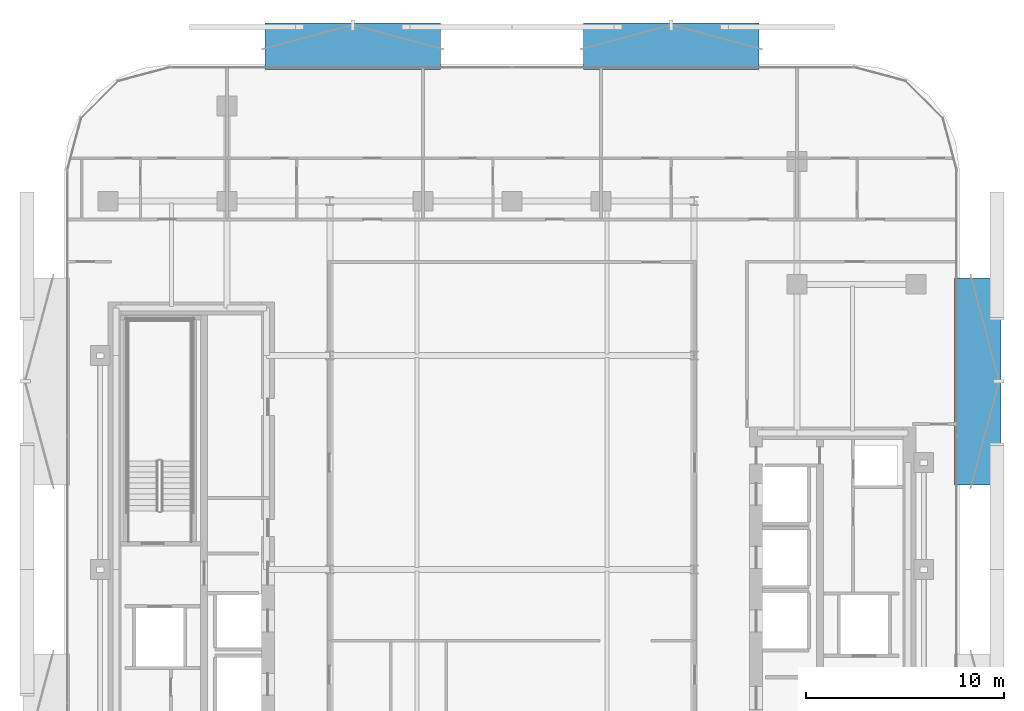
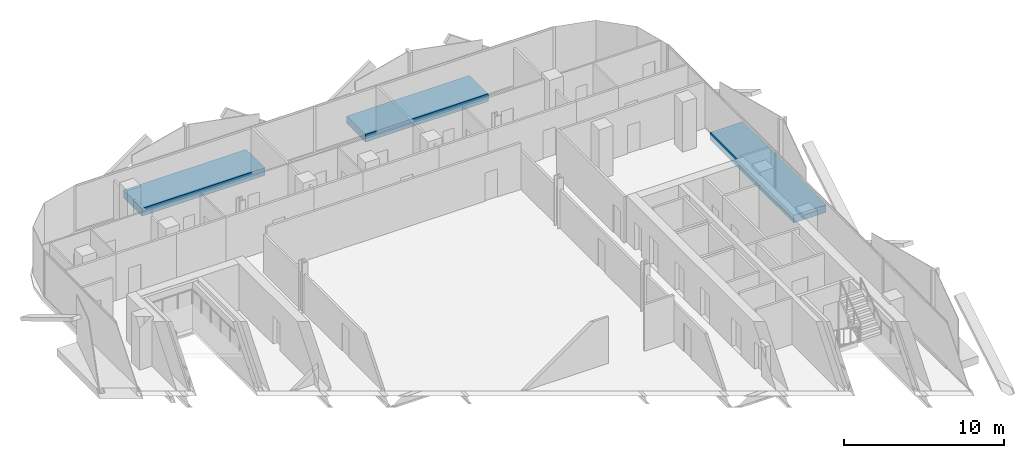
# One storey, part 8 of 17: 3 discrete accessories.
"""IFC4 building model written with IfcOpenShell, lengths in metres."""

from ifc_helpers import new_model, si_unit, direction, frame, origin, origin_2d, place, context, subcontext, project, spatial, rectangle, extrude, material, type_object, element, save


model = new_model("IFC4")

# Units and contexts
model_context = context("Model", 3, precision=1e-05, world=origin(), true_north=direction((0.0, 1.0)))
body_context = subcontext(model_context, "Body", "Model", "MODEL_VIEW")
ifc_project = project(units=[si_unit("LENGTHUNIT", "METRE"), si_unit("AREAUNIT", "SQUARE_METRE"), si_unit("VOLUMEUNIT", "CUBIC_METRE"), si_unit("PLANEANGLEUNIT", "RADIAN"), si_unit("MASSUNIT", "GRAM", prefix="KILO")], contexts=[model_context])

# Site, building, storey
site_placement = place(None, origin())
site = spatial("IfcSite", under=ifc_project, at=site_placement, CompositionType="ELEMENT")
building_placement = place(site_placement, origin())
building = spatial("IfcBuilding", under=site, at=building_placement, Name="Khairoan Windgate Tower", CompositionType="ELEMENT")
storey_placement = place(building_placement, frame((0.0, 0.0, 172.60009765625)))
storey = spatial("IfcBuildingStorey", under=building, at=storey_placement, Name="L39", CompositionType="ELEMENT", Elevation=172.60009765625)

# Discrete accessories
ifc_material = material(Name="Steel S355", Category="steel")
discrete_accessory_type = type_object("IfcDiscreteAccessoryType", Name="Solar Screen Outrigger Slab Bracket SSB-1", PredefinedType="BRACKET", material=ifc_material)
for number, where, z_axis, x_axis, name in (
    (1, (-8.04541015625, 26.429931640625, -0.420166015625), (0.0, 0.0, 1.0), (1.0, 0.0, 0.0), "L39 Solar Screen Outrigger Bracket 253"),
    (2, (8.04541015625, 26.429931640625, -0.420166015625), (0.0, 0.0, 1.0), (1.0, 0.0, 0.0), "L39 Solar Screen Outrigger Bracket 254"),
):
    element("IfcDiscreteAccessory", number, at=place(storey_placement, frame(where, z_axis=z_axis, x_axis=x_axis)), inside=storey, type_object=discrete_accessory_type, Name=name, PredefinedType="BRACKET", context=body_context, shape_type="SweptSolid", body=[
        extrude(rectangle(XDim=8.85009765625, YDim=2.340087890625, at=origin_2d()), origin(), (0.0, 0.0, 1.0), 0.580078125),
    ])
discrete_accessory_placement = place(storey_placement, frame((23.530029296875, 9.495361328125, -0.420166015625), z_axis=(0.0, 0.0, 1.0), x_axis=(0.0, -1.0, 0.0)))
element("IfcDiscreteAccessory", 3, at=discrete_accessory_placement, inside=storey, type_object=discrete_accessory_type, Name="L39 Solar Screen Outrigger Bracket 255", PredefinedType="BRACKET", context=body_context, shape_type="SweptSolid", body=[
    extrude(rectangle(XDim=10.445068359375, YDim=2.340087890625, at=origin_2d()), origin(), (0.0, 0.0, 1.0), 0.580078125),
])

save(model, "model.ifc")
